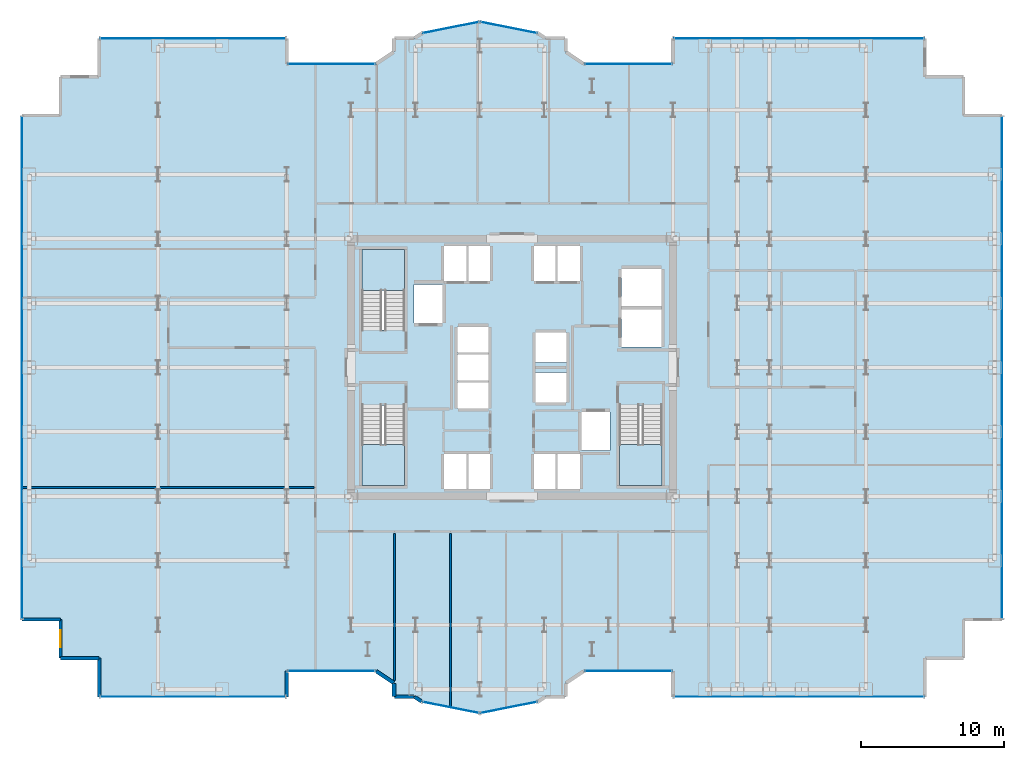
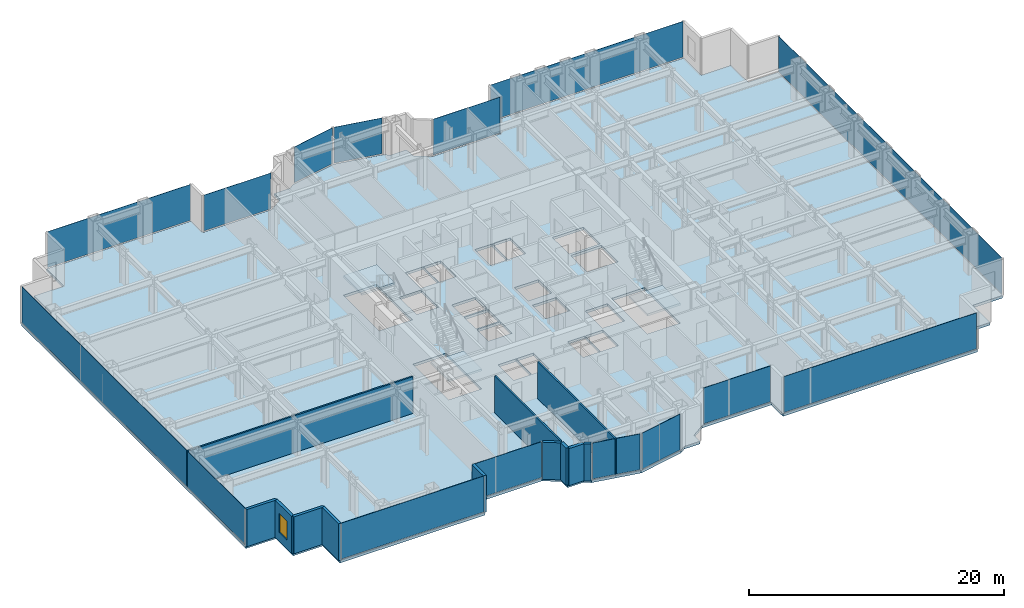
# One storey, part 19 of 26: 14 plates, 12 walls, 4 slabs, 1 window, 1 opening, 17 elements without a shape of their own.
"""IFC4 building model written with IfcOpenShell, lengths in metres."""

from ifc_helpers import new_model, si_unit, direction, frame, frame_2d, origin, origin_2d, place, context, subcontext, project, spatial, polyline, rectangle, outline, extrude, source, transform, mapped, material, layer, layer_set, type_object, element, fill, aggregate, save


model = new_model("IFC4")

# Units and contexts
model_context = context("Model", 3, precision=1e-05, world=origin(), true_north=direction((0.0, 1.0)))
body_context = subcontext(model_context, "Body", "Model", "MODEL_VIEW")
ifc_project = project(units=[si_unit("LENGTHUNIT", "METRE"), si_unit("AREAUNIT", "SQUARE_METRE"), si_unit("VOLUMEUNIT", "CUBIC_METRE"), si_unit("PLANEANGLEUNIT", "RADIAN"), si_unit("MASSUNIT", "GRAM", prefix="KILO")], contexts=[model_context])

# Site, building, storey
site_placement = place(None, origin())
site = spatial("IfcSite", under=ifc_project, at=site_placement, CompositionType="ELEMENT")
building_placement = place(site_placement, origin())
building = spatial("IfcBuilding", under=site, at=building_placement, Name="Nefas-Gora Pilgrimage Tower", CompositionType="ELEMENT")
storey_placement = place(building_placement, frame((0.0, 0.0, 94.60009765625)))
storey = spatial("IfcBuildingStorey", under=building, at=storey_placement, Name="L22", CompositionType="ELEMENT", Elevation=94.60009765625)

# Slab
ifc_material_1 = material(Name="Concrete C40/50", Category="concrete")
ifc_layer_1 = layer(ifc_material_1, 0.25)
ifc_layer_set_1 = layer_set([ifc_layer_1], Name="Concrete C40/50")
slab_type_1 = type_object("IfcSlabType", Name="SLB-TWR-250", PredefinedType="FLOOR", material=ifc_layer_set_1)
slab_1_placement = place(storey_placement, frame((0.0, 0.0, -0.25)))
element("IfcSlab", 1, at=slab_1_placement, inside=storey, type_object=slab_type_1, Name="L22 Structural Floor Slab", PredefinedType="FLOOR", context=body_context, shape_type="SweptSolid", body=[
    extrude(outline(polyline([(5.01806640625, -21.219970703125), (11.25, -21.219970703125), (11.25, -23.02001953125), (28.8701171875, -23.02001953125), (28.8701171875, -20.320068359375), (31.570068359375, -20.320068359375), (31.570068359375, -17.6201171875), (34.27001953125, -17.6201171875), (34.27001953125, 17.6201171875), (31.570068359375, 17.6201171875), (31.570068359375, 20.320068359375), (28.8701171875, 20.320068359375), (28.8701171875, 23.02001953125), (11.25, 23.02001953125), (11.25, 21.219970703125), (5.01806640625, 21.219970703125), (3.75, 22.0673828125), (3.75, 23.02001953125), (2.32421875, 23.02001953125), (1.807373046875, 23.365234375), (-2.25, 24.17236328125), (-6.307373046875, 23.365234375), (-6.82421875, 23.02001953125), (-8.25, 23.02001953125), (-8.25, 22.0673828125), (-9.51806640625, 21.219970703125), (-15.75, 21.219970703125), (-15.75, 23.02001953125), (-28.8701171875, 23.02001953125), (-28.8701171875, 20.320068359375), (-31.570068359375, 20.320068359375), (-31.570068359375, 17.6201171875), (-34.27001953125, 17.6201171875), (-34.27001953125, -17.6201171875), (-31.570068359375, -17.6201171875), (-31.570068359375, -20.320068359375), (-28.8701171875, -20.320068359375), (-28.8701171875, -23.02001953125), (-15.75, -23.02001953125), (-15.75, -21.219970703125), (-9.51806640625, -21.219970703125), (-8.25, -22.0673828125), (-8.25, -23.02001953125), (-6.82421875, -23.02001953125), (-6.307373046875, -23.365234375), (-2.25, -24.17236328125), (1.807373046875, -23.365234375), (2.32421875, -23.02001953125), (3.75, -23.02001953125), (3.75, -22.0673828125), (5.01806640625, -21.219970703125)]), holes=[polyline([(-10.5, 2.639892578125), (-10.5, 8.25), (-7.5, 8.25), (-7.5, 2.639892578125), (-10.5, 2.639892578125)]), polyline([(10.5, -2.639892578125), (10.5, -8.25), (7.5, -8.25), (7.5, -2.639892578125), (10.5, -2.639892578125)]), polyline([(-7.5, -2.639892578125), (-7.5, -8.25), (-10.5, -8.25), (-10.5, -2.639892578125), (-7.5, -2.639892578125)]), polyline([(-6.85009765625, 5.800048828125), (-4.85009765625, 5.800048828125), (-4.85009765625, 3.10009765625), (-6.85009765625, 3.10009765625), (-6.85009765625, 5.800048828125)]), polyline([(4.85009765625, -3.10009765625), (6.85009765625, -3.10009765625), (6.85009765625, -5.800048828125), (4.85009765625, -5.800048828125), (4.85009765625, -3.10009765625)]), polyline([(7.64990234375, 4.050048828125), (10.449951171875, 4.050048828125), (10.449951171875, 1.449951171875), (7.64990234375, 1.449951171875), (7.64990234375, 4.050048828125)]), polyline([(7.64990234375, 6.89990234375), (10.449951171875, 6.89990234375), (10.449951171875, 4.300048828125), (7.64990234375, 4.300048828125), (7.64990234375, 6.89990234375)]), polyline([(-4.75, 8.5), (-3.14990234375, 8.5), (-3.14990234375, 6.050048828125), (-4.75, 6.050048828125), (-4.75, 8.5)]), polyline([(-3.10009765625, 8.5), (-1.550048828125, 8.5), (-1.550048828125, 6.050048828125), (-3.10009765625, 6.050048828125), (-3.10009765625, 8.5)]), polyline([(1.550048828125, 8.5), (3.10009765625, 8.5), (3.10009765625, 6.050048828125), (1.550048828125, 6.050048828125), (1.550048828125, 8.5)]), polyline([(3.14990234375, 8.5), (4.75, 8.5), (4.75, 6.050048828125), (3.14990234375, 6.050048828125), (3.14990234375, 8.5)]), polyline([(-4.75, -6.050048828125), (-3.14990234375, -6.050048828125), (-3.14990234375, -8.5), (-4.75, -8.5), (-4.75, -6.050048828125)]), polyline([(-3.10009765625, -6.050048828125), (-1.550048828125, -6.050048828125), (-1.550048828125, -8.5), (-3.10009765625, -8.5), (-3.10009765625, -6.050048828125)]), polyline([(1.550048828125, -6.050048828125), (3.10009765625, -6.050048828125), (3.10009765625, -8.5), (1.550048828125, -8.5), (1.550048828125, -6.050048828125)]), polyline([(3.14990234375, -6.050048828125), (4.75, -6.050048828125), (4.75, -8.5), (3.14990234375, -8.5), (3.14990234375, -6.050048828125)]), polyline([(-3.800048828125, -1.050048828125), (-1.64990234375, -1.050048828125), (-1.64990234375, -2.85009765625), (-3.800048828125, -2.85009765625), (-3.800048828125, -1.050048828125)]), polyline([(-3.800048828125, 0.89990234375), (-1.64990234375, 0.89990234375), (-1.64990234375, -0.89990234375), (-3.800048828125, -0.89990234375), (-3.800048828125, 0.89990234375)]), polyline([(-3.800048828125, 2.85009765625), (-1.64990234375, 2.85009765625), (-1.64990234375, 1.050048828125), (-3.800048828125, 1.050048828125), (-3.800048828125, 2.85009765625)]), polyline([(1.64990234375, -0.35009765625), (3.800048828125, -0.35009765625), (3.800048828125, -2.449951171875), (1.64990234375, -2.449951171875), (1.64990234375, -0.35009765625)]), polyline([(1.64990234375, 2.449951171875), (3.800048828125, 2.449951171875), (3.800048828125, 0.35009765625), (1.64990234375, 0.35009765625), (1.64990234375, 2.449951171875)])]), origin(), (0.0, 0.0, 1.0), 0.25),
])

# Stair, slab
ifc_material_2 = material(Name="Concrete C45/55", Category="concrete")
stair_type = type_object("IfcStairType", Name="STR-1400-R1727", PredefinedType="HALF_TURN_STAIR", material=ifc_material_2)
stair_1_placement = place(storey_placement, origin())
stair_1 = element("IfcStair", 2, at=stair_1_placement, inside=storey, type_object=stair_type, Name="L22 Pressurised Tower Exit Stair ST-01", PredefinedType="HALF_TURN_STAIR")
ifc_layer_2 = layer(ifc_material_1, 0.199951171875)
ifc_layer_set_2 = layer_set([ifc_layer_2], Name="Concrete C40/50")
slab_type_2 = type_object("IfcSlabType", Name="STR-LAND-200", PredefinedType="LANDING", material=ifc_layer_set_2)
slab_2_placement = place(storey_placement, frame((0.0, 0.0, 1.699951171875)))
slab_2 = element("IfcSlab", 3, at=slab_2_placement, type_object=slab_type_2, Name="ST-01 landing 1", PredefinedType="LANDING", context=body_context, shape_type="SweptSolid", body=[
    extrude(outline(polyline([(-7.5, 5.39990234375), (-7.5, 8.25), (-10.5, 8.25), (-10.5, 5.39990234375), (-7.5, 5.39990234375)])), origin(), (0.0, 0.0, 1.0), 0.199951171875),
])
aggregate(stair_1, [slab_2])

stair_2_placement = place(storey_placement, origin())
stair_2 = element("IfcStair", 4, at=stair_2_placement, inside=storey, type_object=stair_type, Name="L22 Pressurised Tower Exit Stair ST-02", PredefinedType="HALF_TURN_STAIR")
slab_3_placement = place(storey_placement, frame((0.0, 0.0, 1.699951171875)))
slab_3 = element("IfcSlab", 5, at=slab_3_placement, type_object=slab_type_2, Name="ST-02 landing 1", PredefinedType="LANDING", context=body_context, shape_type="SweptSolid", body=[
    extrude(outline(polyline([(7.5, -5.39990234375), (7.5, -8.25), (10.5, -8.25), (10.5, -5.39990234375), (7.5, -5.39990234375)])), origin(), (0.0, 0.0, 1.0), 0.199951171875),
])
aggregate(stair_2, [slab_3])

stair_3_placement = place(storey_placement, origin())
stair_3 = element("IfcStair", 6, at=stair_3_placement, inside=storey, type_object=stair_type, Name="L22 Pressurised Tower Exit Stair ST-03", PredefinedType="HALF_TURN_STAIR")
slab_4_placement = place(storey_placement, frame((0.0, 0.0, 1.699951171875)))
slab_4 = element("IfcSlab", 7, at=slab_4_placement, type_object=slab_type_2, Name="ST-03 landing 1", PredefinedType="LANDING", context=body_context, shape_type="SweptSolid", body=[
    extrude(outline(polyline([(-10.5, -5.39990234375), (-10.5, -8.25), (-7.5, -8.25), (-7.5, -5.39990234375), (-10.5, -5.39990234375)])), origin(), (0.0, 0.0, 1.0), 0.199951171875),
])
aggregate(stair_3, [slab_4])

# Curtain wall, plate
ifc_material_3 = material(Name="Dark ceramic-fritted solar-control aluminium-glass curtain wall", Category="aluminium")
ifc_layer_3 = layer(ifc_material_3, 0.219970703125)
ifc_layer_set_3 = layer_set([ifc_layer_3], Name="Dark ceramic-fritted solar-control aluminium-glass curtain wall")
curtain_wall_type_1 = type_object("IfcCurtainWallType", Name="CW-SYS-5", PredefinedType="NOTDEFINED", material=ifc_layer_set_3)
curtain_wall_1_placement = place(storey_placement, origin())
curtain_wall_1 = element("IfcCurtainWall", 8, at=curtain_wall_1_placement, inside=storey, type_object=curtain_wall_type_1, Name="L22 Unitised Curtain Wall CW5", PredefinedType="NOTDEFINED")
ifc_material_4 = material(Name="Dark ceramic-printed low-e insulated glass", Category="glass")
ifc_layer_4 = layer(ifc_material_4, 0.028076171875)
ifc_layer_set_4 = layer_set([ifc_layer_4], Name="Dark ceramic-printed low-e insulated glass")
plate_type_1 = type_object("IfcPlateType", Name="CWP-PNL-5", PredefinedType="CURTAIN_PANEL", material=ifc_layer_set_4)
shared_shape_1 = source(origin(), body_context, "Body", "SweptSolid", [
    extrude(rectangle(XDim=6.052001953125, YDim=0.028076171875, at=origin_2d()), origin(), (0.0, 0.0, 1.0), 3.43994140625),
])
plate_1_placement = place(storey_placement, frame((8.134033203125, -21.219970703125, 0.099853515625), z_axis=(0.0, 0.0, 1.0), x_axis=(1.0, 0.0, 0.0)))
plate_1 = element("IfcPlate", 9, at=plate_1_placement, type_object=plate_type_1, Name="CW5 Ceramic-Fritted Glazing Panel 1", PredefinedType="CURTAIN_PANEL", context=body_context, shape_type="MappedRepresentation", body=[
    mapped(shared_shape_1, transform((0.0, 0.0, 0.0), x_axis=(1.0, 0.0, 0.0), y_axis=(0.0, 1.0, 0.0), z_axis=(0.0, 0.0, 1.0), scale=1.0)),
])
aggregate(curtain_wall_1, [plate_1])

curtain_wall_2_placement = place(storey_placement, origin())
curtain_wall_2 = element("IfcCurtainWall", 10, at=curtain_wall_2_placement, inside=storey, type_object=curtain_wall_type_1, Name="L22 Unitised Curtain Wall CW5", PredefinedType="NOTDEFINED")
plate_2_placement = place(storey_placement, frame((8.134033203125, 21.219970703125, 0.099853515625), z_axis=(0.0, 0.0, 1.0), x_axis=(-1.0, 0.0, 0.0)))
plate_2 = element("IfcPlate", 11, at=plate_2_placement, type_object=plate_type_1, Name="CW5 Ceramic-Fritted Glazing Panel 1", PredefinedType="CURTAIN_PANEL", context=body_context, shape_type="MappedRepresentation", body=[
    mapped(shared_shape_1, transform((0.0, 0.0, 0.0), x_axis=(1.0, 0.0, 0.0), y_axis=(0.0, 1.0, 0.0), z_axis=(0.0, 0.0, 1.0), scale=1.0)),
])
aggregate(curtain_wall_2, [plate_2])

curtain_wall_3_placement = place(storey_placement, origin())
curtain_wall_3 = element("IfcCurtainWall", 12, at=curtain_wall_3_placement, inside=storey, type_object=curtain_wall_type_1, Name="L22 Unitised Curtain Wall CW5", PredefinedType="NOTDEFINED")
plate_3_placement = place(storey_placement, frame((-12.634033203125, 21.219970703125, 0.099853515625), z_axis=(0.0, 0.0, 1.0), x_axis=(-1.0, 0.0, 0.0)))
plate_3 = element("IfcPlate", 13, at=plate_3_placement, type_object=plate_type_1, Name="CW5 Ceramic-Fritted Glazing Panel 1", PredefinedType="CURTAIN_PANEL", context=body_context, shape_type="MappedRepresentation", body=[
    mapped(shared_shape_1, transform((0.0, 0.0, 0.0), x_axis=(1.0, 0.0, 0.0), y_axis=(0.0, 1.0, 0.0), z_axis=(0.0, 0.0, 1.0), scale=1.0)),
])
aggregate(curtain_wall_3, [plate_3])

curtain_wall_4_placement = place(storey_placement, origin())
curtain_wall_4 = element("IfcCurtainWall", 14, at=curtain_wall_4_placement, inside=storey, type_object=curtain_wall_type_1, Name="L22 Unitised Curtain Wall CW5", PredefinedType="NOTDEFINED")
plate_4_placement = place(storey_placement, frame((-12.634033203125, -21.219970703125, 0.099853515625), z_axis=(0.0, 0.0, 1.0), x_axis=(1.0, 0.0, 0.0)))
plate_4 = element("IfcPlate", 15, at=plate_4_placement, type_object=plate_type_1, Name="CW5 Ceramic-Fritted Glazing Panel 1", PredefinedType="CURTAIN_PANEL", context=body_context, shape_type="MappedRepresentation", body=[
    mapped(shared_shape_1, transform((0.0, 0.0, 0.0), x_axis=(1.0, 0.0, 0.0), y_axis=(0.0, 1.0, 0.0), z_axis=(0.0, 0.0, 1.0), scale=1.0)),
])
aggregate(curtain_wall_4, [plate_4])

ifc_layer_5 = layer(ifc_material_3, 0.219970703125)
ifc_layer_set_5 = layer_set([ifc_layer_5], Name="Dark ceramic-fritted solar-control aluminium-glass curtain wall")
curtain_wall_type_2 = type_object("IfcCurtainWallType", Name="CW-SYS-2", PredefinedType="NOTDEFINED", material=ifc_layer_set_5)
curtain_wall_5_placement = place(storey_placement, origin())
curtain_wall_5 = element("IfcCurtainWall", 16, at=curtain_wall_5_placement, inside=storey, type_object=curtain_wall_type_2, Name="L22 Unitised Curtain Wall CW2", PredefinedType="NOTDEFINED")
ifc_layer_6 = layer(ifc_material_4, 0.031982421875)
ifc_layer_set_6 = layer_set([ifc_layer_6], Name="Dark ceramic-printed low-e insulated glass")
plate_type_2 = type_object("IfcPlateType", Name="CWP-PNL-2", PredefinedType="CURTAIN_PANEL", material=ifc_layer_set_6)
shared_shape_2 = source(origin(), body_context, "Body", "SweptSolid", [
    extrude(rectangle(XDim=17.43994140625, YDim=0.031982421875, at=origin_2d()), origin(), (0.0, 0.0, 1.0), 3.43994140625),
])
plate_5_placement = place(storey_placement, frame((20.06005859375, -23.02001953125, 0.099853515625), z_axis=(0.0, 0.0, 1.0), x_axis=(1.0, 0.0, 0.0)))
plate_5 = element("IfcPlate", 17, at=plate_5_placement, type_object=plate_type_2, Name="CW2 Ceramic-Fritted Glazing Panel 1", PredefinedType="CURTAIN_PANEL", context=body_context, shape_type="MappedRepresentation", body=[
    mapped(shared_shape_2, transform((0.0, 0.0, 0.0), x_axis=(1.0, 0.0, 0.0), y_axis=(0.0, 1.0, 0.0), z_axis=(0.0, 0.0, 1.0), scale=1.0)),
])
aggregate(curtain_wall_5, [plate_5])

curtain_wall_6_placement = place(storey_placement, origin())
curtain_wall_6 = element("IfcCurtainWall", 18, at=curtain_wall_6_placement, inside=storey, type_object=curtain_wall_type_2, Name="L22 Unitised Curtain Wall CW2", PredefinedType="NOTDEFINED")
plate_6_placement = place(storey_placement, frame((20.06005859375, 23.02001953125, 0.099853515625), z_axis=(0.0, 0.0, 1.0), x_axis=(-1.0, 0.0, 0.0)))
plate_6 = element("IfcPlate", 19, at=plate_6_placement, type_object=plate_type_2, Name="CW2 Ceramic-Fritted Glazing Panel 1", PredefinedType="CURTAIN_PANEL", context=body_context, shape_type="MappedRepresentation", body=[
    mapped(shared_shape_2, transform((0.0, 0.0, 0.0), x_axis=(1.0, 0.0, 0.0), y_axis=(0.0, 1.0, 0.0), z_axis=(0.0, 0.0, 1.0), scale=1.0)),
])
aggregate(curtain_wall_6, [plate_6])

curtain_wall_7_placement = place(storey_placement, origin())
curtain_wall_7 = element("IfcCurtainWall", 20, at=curtain_wall_7_placement, inside=storey, type_object=curtain_wall_type_1, Name="L22 Unitised Curtain Wall CW5", PredefinedType="NOTDEFINED")
shared_shape_3 = source(origin(), body_context, "Body", "SweptSolid", [
    extrude(rectangle(XDim=3.956787109375, YDim=0.028076171875, at=origin_2d()), origin(), (0.0, 0.0, 1.0), 3.43994140625),
])
plate_7_placement = place(storey_placement, frame((-0.22119140625, 23.768798828125, 0.099853515625), z_axis=(0.0, 0.0, 1.0), x_axis=(-0.980782896852, 0.195102304554, 0.0)))
plate_7 = element("IfcPlate", 21, at=plate_7_placement, type_object=plate_type_1, Name="CW5 Ceramic-Fritted Glazing Panel 1", PredefinedType="CURTAIN_PANEL", context=body_context, shape_type="MappedRepresentation", body=[
    mapped(shared_shape_3, transform((0.0, 0.0, 0.0), x_axis=(1.0, 0.0, 0.0), y_axis=(0.0, 1.0, 0.0), z_axis=(0.0, 0.0, 1.0), scale=1.0)),
])
aggregate(curtain_wall_7, [plate_7])

curtain_wall_8_placement = place(storey_placement, origin())
curtain_wall_8 = element("IfcCurtainWall", 22, at=curtain_wall_8_placement, inside=storey, type_object=curtain_wall_type_1, Name="L22 Unitised Curtain Wall CW5", PredefinedType="NOTDEFINED")
plate_8_placement = place(storey_placement, frame((-4.278564453125, 23.768798828125, 0.099853515625), z_axis=(0.0, 0.0, 1.0), x_axis=(-0.980782896852, -0.195102304554, 0.0)))
plate_8 = element("IfcPlate", 23, at=plate_8_placement, type_object=plate_type_1, Name="CW5 Ceramic-Fritted Glazing Panel 1", PredefinedType="CURTAIN_PANEL", context=body_context, shape_type="MappedRepresentation", body=[
    mapped(shared_shape_3, transform((0.0, 0.0, 0.0), x_axis=(1.0, 0.0, 0.0), y_axis=(0.0, 1.0, 0.0), z_axis=(0.0, 0.0, 1.0), scale=1.0)),
])
aggregate(curtain_wall_8, [plate_8])

curtain_wall_9_placement = place(storey_placement, origin())
curtain_wall_9 = element("IfcCurtainWall", 24, at=curtain_wall_9_placement, inside=storey, type_object=curtain_wall_type_1, Name="L22 Unitised Curtain Wall CW5", PredefinedType="NOTDEFINED")
plate_9_placement = place(storey_placement, frame((-4.278564453125, -23.768798828125, 0.099853515625), z_axis=(0.0, 0.0, 1.0), x_axis=(0.980782896852, -0.195102304554, 0.0)))
plate_9 = element("IfcPlate", 25, at=plate_9_placement, type_object=plate_type_1, Name="CW5 Ceramic-Fritted Glazing Panel 1", PredefinedType="CURTAIN_PANEL", context=body_context, shape_type="MappedRepresentation", body=[
    mapped(shared_shape_3, transform((0.0, 0.0, 0.0), x_axis=(1.0, 0.0, 0.0), y_axis=(0.0, 1.0, 0.0), z_axis=(0.0, 0.0, 1.0), scale=1.0)),
])
aggregate(curtain_wall_9, [plate_9])

curtain_wall_10_placement = place(storey_placement, origin())
curtain_wall_10 = element("IfcCurtainWall", 26, at=curtain_wall_10_placement, inside=storey, type_object=curtain_wall_type_1, Name="L22 Unitised Curtain Wall CW5", PredefinedType="NOTDEFINED")
plate_10_placement = place(storey_placement, frame((-0.221435546875, -23.768798828125, 0.099853515625), z_axis=(0.0, 0.0, 1.0), x_axis=(0.980782896852, 0.195102304554, 0.0)))
plate_10 = element("IfcPlate", 27, at=plate_10_placement, type_object=plate_type_1, Name="CW5 Ceramic-Fritted Glazing Panel 1", PredefinedType="CURTAIN_PANEL", context=body_context, shape_type="MappedRepresentation", body=[
    mapped(shared_shape_3, transform((0.0, 0.0, 0.0), x_axis=(1.0, 0.0, 0.0), y_axis=(0.0, 1.0, 0.0), z_axis=(0.0, 0.0, 1.0), scale=1.0)),
])
aggregate(curtain_wall_10, [plate_10])

curtain_wall_11_placement = place(storey_placement, origin())
curtain_wall_11 = element("IfcCurtainWall", 28, at=curtain_wall_11_placement, inside=storey, type_object=curtain_wall_type_2, Name="L22 Unitised Curtain Wall CW2", PredefinedType="NOTDEFINED")
shared_shape_4 = source(origin(), body_context, "Body", "SweptSolid", [
    extrude(rectangle(XDim=12.93994140625, YDim=0.031982421875, at=origin_2d()), origin(), (0.0, 0.0, 1.0), 3.43994140625),
])
plate_11_placement = place(storey_placement, frame((-22.31005859375, 23.02001953125, 0.099853515625), z_axis=(0.0, 0.0, 1.0), x_axis=(-1.0, 0.0, 0.0)))
plate_11 = element("IfcPlate", 29, at=plate_11_placement, type_object=plate_type_2, Name="CW2 Ceramic-Fritted Glazing Panel 1", PredefinedType="CURTAIN_PANEL", context=body_context, shape_type="MappedRepresentation", body=[
    mapped(shared_shape_4, transform((0.0, 0.0, 0.0), x_axis=(1.0, 0.0, 0.0), y_axis=(0.0, 1.0, 0.0), z_axis=(0.0, 0.0, 1.0), scale=1.0)),
])
aggregate(curtain_wall_11, [plate_11])

curtain_wall_12_placement = place(storey_placement, origin())
curtain_wall_12 = element("IfcCurtainWall", 30, at=curtain_wall_12_placement, inside=storey, type_object=curtain_wall_type_2, Name="L22 Unitised Curtain Wall CW2", PredefinedType="NOTDEFINED")
plate_12_placement = place(storey_placement, frame((-22.31005859375, -23.02001953125, 0.099853515625), z_axis=(0.0, 0.0, 1.0), x_axis=(1.0, 0.0, 0.0)))
plate_12 = element("IfcPlate", 31, at=plate_12_placement, type_object=plate_type_2, Name="CW2 Ceramic-Fritted Glazing Panel 1", PredefinedType="CURTAIN_PANEL", context=body_context, shape_type="MappedRepresentation", body=[
    mapped(shared_shape_4, transform((0.0, 0.0, 0.0), x_axis=(1.0, 0.0, 0.0), y_axis=(0.0, 1.0, 0.0), z_axis=(0.0, 0.0, 1.0), scale=1.0)),
])
aggregate(curtain_wall_12, [plate_12])

curtain_wall_13_placement = place(storey_placement, origin())
curtain_wall_13 = element("IfcCurtainWall", 32, at=curtain_wall_13_placement, inside=storey, type_object=curtain_wall_type_2, Name="L22 Unitised Curtain Wall CW2", PredefinedType="NOTDEFINED")
shared_shape_5 = source(origin(), body_context, "Body", "SweptSolid", [
    extrude(rectangle(XDim=35.06005859375, YDim=0.031982421875, at=origin_2d()), origin(), (0.0, 0.0, 1.0), 3.43994140625),
])
plate_13_placement = place(storey_placement, frame((34.27001953125, 0.0, 0.099853515625), z_axis=(0.0, 0.0, 1.0), x_axis=(0.0, 1.0, 0.0)))
plate_13 = element("IfcPlate", 33, at=plate_13_placement, type_object=plate_type_2, Name="CW2 Ceramic-Fritted Glazing Panel 1", PredefinedType="CURTAIN_PANEL", context=body_context, shape_type="MappedRepresentation", body=[
    mapped(shared_shape_5, transform((0.0, 0.0, 0.0), x_axis=(1.0, 0.0, 0.0), y_axis=(0.0, 1.0, 0.0), z_axis=(0.0, 0.0, 1.0), scale=1.0)),
])
aggregate(curtain_wall_13, [plate_13])

curtain_wall_14_placement = place(storey_placement, origin())
curtain_wall_14 = element("IfcCurtainWall", 34, at=curtain_wall_14_placement, inside=storey, type_object=curtain_wall_type_2, Name="L22 Unitised Curtain Wall CW2", PredefinedType="NOTDEFINED")
plate_14_placement = place(storey_placement, frame((-34.27001953125, 0.0, 0.099853515625), z_axis=(0.0, 0.0, 1.0), x_axis=(0.0, -1.0, 0.0)))
plate_14 = element("IfcPlate", 35, at=plate_14_placement, type_object=plate_type_2, Name="CW2 Ceramic-Fritted Glazing Panel 1", PredefinedType="CURTAIN_PANEL", context=body_context, shape_type="MappedRepresentation", body=[
    mapped(shared_shape_5, transform((0.0, 0.0, 0.0), x_axis=(1.0, 0.0, 0.0), y_axis=(0.0, 1.0, 0.0), z_axis=(0.0, 0.0, 1.0), scale=1.0)),
])
aggregate(curtain_wall_14, [plate_14])

# Walls
ifc_material_5 = material(Name="Precast concrete C40/50", Category="concrete")
ifc_layer_7 = layer(ifc_material_5, 0.260009765625)
ifc_layer_set_7 = layer_set([ifc_layer_7], Name="Precast concrete C40/50")
wall_type_1 = type_object("IfcWallType", Name="EW-PORTAL-260", PredefinedType="SOLIDWALL", material=ifc_layer_set_7)
shared_shape_6 = source(origin(), body_context, "Body", "SweptSolid", [
    extrude(rectangle(XDim=1.800048828125, YDim=0.260009765625, at=frame_2d((0.89990234375, 0.0))), origin(), (0.0, 0.0, 1.0), 3.5498046875),
])
wall_1_placement = place(storey_placement, frame((-15.75, -23.02001953125, 0.0), z_axis=(0.0, 0.0, 1.0), x_axis=(0.0, 1.0, 0.0)))
element("IfcWall", 36, at=wall_1_placement, inside=storey, type_object=wall_type_1, Name="L22 Lobe Shoulder Precast Spandrel Pier 28", PredefinedType="SOLIDWALL", context=body_context, shape_type="MappedRepresentation", body=[
    mapped(shared_shape_6, transform((0.0, 0.0, 0.0), x_axis=(1.0, 0.0, 0.0), y_axis=(0.0, 1.0, 0.0), z_axis=(0.0, 0.0, 1.0), scale=1.0)),
])
ifc_material_6 = material(Name="Precast concrete C45/55", Category="concrete")
ifc_layer_8 = layer(ifc_material_6, 0.239990234375)
ifc_layer_set_8 = layer_set([ifc_layer_8], Name="Precast concrete C45/55")
wall_type_2 = type_object("IfcWallType", Name="EW-SERR-240", PredefinedType="SHEAR", material=ifc_layer_set_8)
shared_shape_7 = source(origin(), body_context, "Body", "SweptSolid", [
    extrude(rectangle(XDim=2.699951171875, YDim=0.239990234375, at=frame_2d((1.35009765625, 0.0))), origin(), (0.0, 0.0, 1.0), 3.5498046875),
])
wall_2_placement = place(storey_placement, frame((-34.27001953125, -17.6201171875, 0.0), z_axis=(0.0, 0.0, 1.0), x_axis=(1.0, 0.0, 0.0)))
element("IfcWall", 37, at=wall_2_placement, inside=storey, type_object=wall_type_2, Name="L22 Serrated Corner Shear Pier Wall 24", PredefinedType="SHEAR", context=body_context, shape_type="MappedRepresentation", body=[
    mapped(shared_shape_7, transform((0.0, 0.0, 0.0), x_axis=(1.0, 0.0, 0.0), y_axis=(0.0, 1.0, 0.0), z_axis=(0.0, 0.0, 1.0), scale=1.0)),
])

# Wall, opening, window
wall_3_placement = place(storey_placement, frame((-31.570068359375, -17.6201171875, 0.0), z_axis=(0.0, 0.0, 1.0), x_axis=(0.0, -1.0, 0.0)))
wall_3 = element("IfcWall", 38, at=wall_3_placement, inside=storey, type_object=wall_type_2, Name="L22 Serrated Corner Shear Pier Wall 25", PredefinedType="SHEAR", context=body_context, shape_type="MappedRepresentation", body=[
    mapped(shared_shape_7, transform((0.0, 0.0, 0.0), x_axis=(1.0, 0.0, 0.0), y_axis=(0.0, 1.0, 0.0), z_axis=(0.0, 0.0, 1.0), scale=1.0)),
])
opening_placement = place(wall_3_placement, frame((0.75, 0.0, 0.85009765625)))
opening = element("IfcOpeningElement", 39, at=opening_placement, cuts=wall_3, Name="Opening W-V1", PredefinedType="OPENING", context=body_context, shape_type="SweptSolid", body=[
    extrude(rectangle(XDim=1.199951171875, YDim=1.800048828125, at=frame_2d((0.60009765625, 0.89990234375))), frame((0.0, 0.1298828125, 0.0), z_axis=(0.0, -1.0, 0.0), x_axis=(1.0, 0.0, 0.0)), (0.0, 0.0, 1.0), 0.260009765625),
])
ifc_material_7 = material(Name="Dark ceramic-fritted operable aluminium-glass window", Category="aluminium")
window_type = type_object("IfcWindowType", Name="WIN-VENT-1200x1800", PartitioningType="SINGLE_PANEL", PredefinedType="WINDOW", material=ifc_material_7)
shared_shape_8 = source(origin(), body_context, "Body", "SweptSolid", [
    extrude(rectangle(XDim=1.199951171875, YDim=1.800048828125, at=frame_2d((0.60009765625, 0.89990234375))), frame((0.0, 0.030029296875, 0.0), z_axis=(0.0, -1.0, 0.0), x_axis=(1.0, 0.0, 0.0)), (0.0, 0.0, 1.0), 0.06005859375),
])
window_placement = place(opening_placement, origin())
window = element("IfcWindow", 40, at=window_placement, inside=storey, type_object=window_type, Name="L22 Operable Parallel-Outswing Window 25", OverallHeight=1.800048828125, OverallWidth=1.199951171875, PartitioningType="SINGLE_PANEL", PredefinedType="WINDOW", context=body_context, shape_type="MappedRepresentation", body=[
    mapped(shared_shape_8, transform((0.0, 0.0, 0.0), x_axis=(1.0, 0.0, 0.0), y_axis=(0.0, 1.0, 0.0), z_axis=(0.0, 0.0, 1.0), scale=1.0)),
])
fill(opening, window)

# Walls
for number, where, z_axis, x_axis, name in (
    (41, (-31.570068359375, -20.320068359375, 0.0), (0.0, 0.0, 1.0), (1.0, 0.0, 0.0), "L22 Serrated Corner Shear Pier Wall 26"),
    (42, (-28.8701171875, -20.320068359375, 0.0), (0.0, 0.0, 1.0), (0.0, -1.0, 0.0), "L22 Serrated Corner Shear Pier Wall 27"),
):
    element("IfcWall", number, at=place(storey_placement, frame(where, z_axis=z_axis, x_axis=x_axis)), inside=storey, type_object=wall_type_2, Name=name, PredefinedType="SHEAR", context=body_context, shape_type="MappedRepresentation", body=[
        mapped(shared_shape_7, transform((0.0, 0.0, 0.0), x_axis=(1.0, 0.0, 0.0), y_axis=(0.0, 1.0, 0.0), z_axis=(0.0, 0.0, 1.0), scale=1.0)),
    ])
shared_shape_9 = source(origin(), body_context, "Body", "SweptSolid", [
    extrude(rectangle(XDim=1.468994140625, YDim=0.260009765625, at=frame_2d((0.734375, 0.0))), origin(), (0.0, 0.0, 1.0), 3.5498046875),
])
wall_4_placement = place(storey_placement, frame((-9.49462890625, -21.235595703125, 0.0), z_axis=(0.0, 0.0, 1.0), x_axis=(0.831461760506, -0.555581983884, 0.0)))
element("IfcWall", 43, at=wall_4_placement, inside=storey, type_object=wall_type_1, Name="L22 Lobe Shoulder Precast Spandrel Pier 29", PredefinedType="SOLIDWALL", context=body_context, shape_type="MappedRepresentation", body=[
    mapped(shared_shape_9, transform((0.0, 0.0, 0.0), x_axis=(1.0, 0.0, 0.0), y_axis=(0.0, 1.0, 0.0), z_axis=(0.0, 0.0, 1.0), scale=1.0)),
])
shared_shape_10 = source(origin(), body_context, "Body", "SweptSolid", [
    extrude(rectangle(XDim=0.896728515625, YDim=0.260009765625, at=frame_2d((0.4482421875, 0.0))), origin(), (0.0, 0.0, 1.0), 3.5498046875),
])
wall_5_placement = place(storey_placement, frame((-8.25, -22.09521484375, 0.0), z_axis=(0.0, 0.0, 1.0), x_axis=(0.0, -1.0, 0.0)))
element("IfcWall", 44, at=wall_5_placement, inside=storey, type_object=wall_type_1, Name="L22 Lobe Shoulder Precast Spandrel Pier 30", PredefinedType="SOLIDWALL", context=body_context, shape_type="MappedRepresentation", body=[
    mapped(shared_shape_10, transform((0.0, 0.0, 0.0), x_axis=(1.0, 0.0, 0.0), y_axis=(0.0, 1.0, 0.0), z_axis=(0.0, 0.0, 1.0), scale=1.0)),
])
shared_shape_11 = source(origin(), body_context, "Body", "SweptSolid", [
    extrude(rectangle(XDim=1.369873046875, YDim=0.260009765625, at=frame_2d((0.68505859375, 0.0))), origin(), (0.0, 0.0, 1.0), 3.5498046875),
])
wall_6_placement = place(storey_placement, frame((-8.221923828125, -23.02001953125, 0.0), z_axis=(0.0, 0.0, 1.0), x_axis=(1.0, 0.0, 0.0)))
element("IfcWall", 45, at=wall_6_placement, inside=storey, type_object=wall_type_1, Name="L22 Lobe Shoulder Precast Spandrel Pier 31", PredefinedType="SOLIDWALL", context=body_context, shape_type="MappedRepresentation", body=[
    mapped(shared_shape_11, transform((0.0, 0.0, 0.0), x_axis=(1.0, 0.0, 0.0), y_axis=(0.0, 1.0, 0.0), z_axis=(0.0, 0.0, 1.0), scale=1.0)),
])
shared_shape_12 = source(origin(), body_context, "Body", "SweptSolid", [
    extrude(rectangle(XDim=0.5654296875, YDim=0.260009765625, at=frame_2d((0.28271484375, 0.0))), origin(), (0.0, 0.0, 1.0), 3.5498046875),
])
wall_7_placement = place(storey_placement, frame((-6.80078125, -23.03564453125, 0.0), z_axis=(0.0, 0.0, 1.0), x_axis=(0.831651492666, -0.555297933317, 0.0)))
element("IfcWall", 46, at=wall_7_placement, inside=storey, type_object=wall_type_1, Name="L22 Lobe Shoulder Precast Spandrel Pier 32", PredefinedType="SOLIDWALL", context=body_context, shape_type="MappedRepresentation", body=[
    mapped(shared_shape_12, transform((0.0, 0.0, 0.0), x_axis=(1.0, 0.0, 0.0), y_axis=(0.0, 1.0, 0.0), z_axis=(0.0, 0.0, 1.0), scale=1.0)),
])
ifc_material_8 = material(Name="Gypsum twin-stud partition")
ifc_layer_9 = layer(ifc_material_8, 0.139892578125)
ifc_layer_set_9 = layer_set([ifc_layer_9], Name="Gypsum twin-stud partition")
wall_type_3 = type_object("IfcWallType", Name="IW-UNIT-140", PredefinedType="PARTITIONING", material=ifc_layer_set_9)
shared_shape_13 = source(origin(), body_context, "Body", "SweptSolid", [
    extrude(rectangle(XDim=20.429931640625, YDim=0.139892578125, at=frame_2d((10.21484375, 0.0))), origin(), (0.0, 0.0, 1.0), 3.534912109375),
])
wall_8_placement = place(storey_placement, frame((-34.2900390625, -8.405029296875, 0.0), z_axis=(0.0, 0.0, 1.0), x_axis=(1.0, 0.0, 0.0)))
element("IfcWall", 47, at=wall_8_placement, inside=storey, type_object=wall_type_3, Name="L22 Pilgrim Tea and Beverage Pantry Partition Wall 29", PredefinedType="PARTITIONING", context=body_context, shape_type="MappedRepresentation", body=[
    mapped(shared_shape_13, transform((0.0, 0.0, 0.0), x_axis=(1.0, 0.0, 0.0), y_axis=(0.0, 1.0, 0.0), z_axis=(0.0, 0.0, 1.0), scale=1.0)),
])
shared_shape_14 = source(origin(), body_context, "Body", "SweptSolid", [
    extrude(rectangle(XDim=10.30517578125, YDim=0.139892578125, at=frame_2d((5.152587890625, 0.0))), origin(), (0.0, 0.0, 1.0), 3.534912109375),
])
wall_9_placement = place(storey_placement, frame((-8.205078125, -21.895263671875, 0.0), z_axis=(0.0, 0.0, 1.0), x_axis=(0.0, 1.0, 0.0)))
element("IfcWall", 48, at=wall_9_placement, inside=storey, type_object=wall_type_3, Name="L22 Pilgrim Contemplative Lounge Partition Wall 57", PredefinedType="PARTITIONING", context=body_context, shape_type="MappedRepresentation", body=[
    mapped(shared_shape_14, transform((0.0, 0.0, 0.0), x_axis=(1.0, 0.0, 0.0), y_axis=(0.0, 1.0, 0.0), z_axis=(0.0, 0.0, 1.0), scale=1.0)),
])
shared_shape_15 = source(origin(), body_context, "Body", "SweptSolid", [
    extrude(rectangle(XDim=12.197021484375, YDim=0.139892578125, at=frame_2d((6.0986328125, 0.0))), origin(), (0.0, 0.0, 1.0), 3.534912109375),
])
wall_10_placement = place(storey_placement, frame((-4.31005859375, -23.787109375, 0.0), z_axis=(0.0, 0.0, 1.0), x_axis=(0.0, 1.0, 0.0)))
element("IfcWall", 49, at=wall_10_placement, inside=storey, type_object=wall_type_3, Name="L22 Pilgrim Contemplative Lounge Partition Wall 59", PredefinedType="PARTITIONING", context=body_context, shape_type="MappedRepresentation", body=[
    mapped(shared_shape_15, transform((0.0, 0.0, 0.0), x_axis=(1.0, 0.0, 0.0), y_axis=(0.0, 1.0, 0.0), z_axis=(0.0, 0.0, 1.0), scale=1.0)),
])

save(model, "model.ifc")
